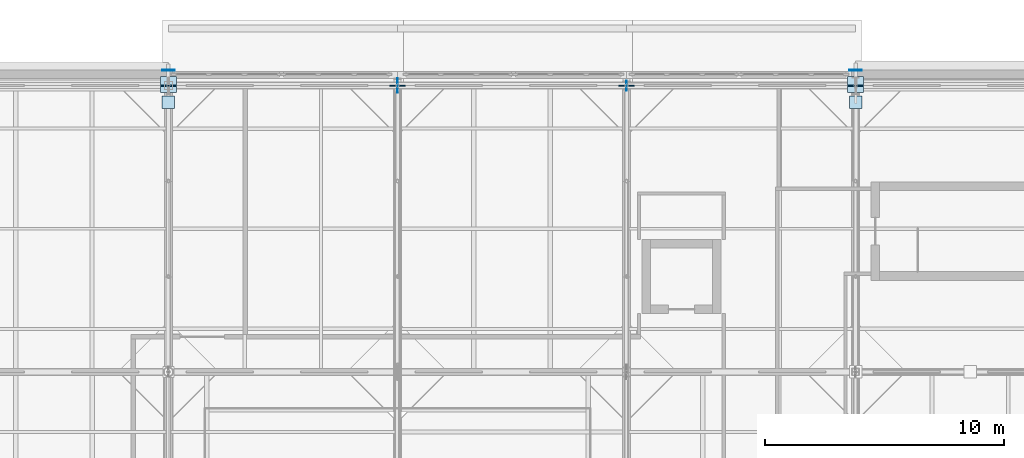
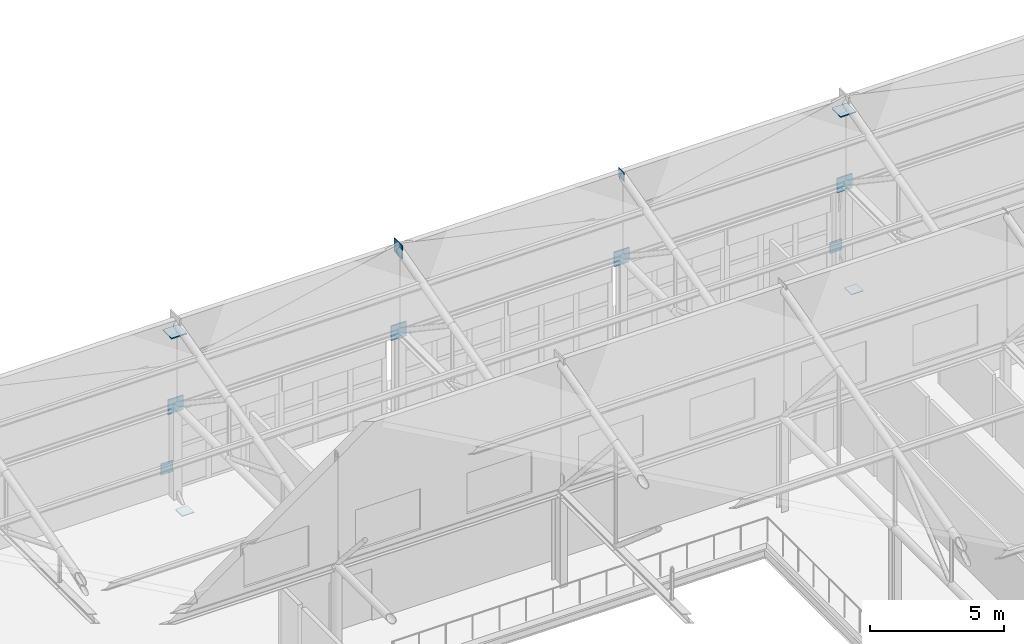
# One storey, part 73 of 89: 12 plates.
"""IFC4 building model written with IfcOpenShell, lengths in metres."""

from ifc_helpers import new_model, si_unit, direction, frame, origin, origin_2d, place, context, subcontext, project, spatial, rectangle, extrude, material, layer, layer_set, type_object, element, save


model = new_model("IFC4")

# Units and contexts
model_context = context("Model", 3, precision=1e-05, world=origin(), true_north=direction((0.0, 1.0)))
body_context = subcontext(model_context, "Body", "Model", "MODEL_VIEW")
ifc_project = project(units=[si_unit("LENGTHUNIT", "METRE"), si_unit("AREAUNIT", "SQUARE_METRE"), si_unit("VOLUMEUNIT", "CUBIC_METRE"), si_unit("PLANEANGLEUNIT", "RADIAN"), si_unit("MASSUNIT", "GRAM", prefix="KILO")], contexts=[model_context])

# Site, building, storey
site_placement = place(None, origin())
site = spatial("IfcSite", under=ifc_project, at=site_placement, CompositionType="ELEMENT")
building_placement = place(site_placement, origin())
building = spatial("IfcBuilding", under=site, at=building_placement, Name="Zereglee Splitstone Museum", CompositionType="ELEMENT")
storey_placement = place(building_placement, frame((0.0, 0.0, 21.300048828125)))
storey = spatial("IfcBuildingStorey", under=building, at=storey_placement, Name="L04", CompositionType="ELEMENT", Elevation=21.300048828125)

# Plates
ifc_material = material(Name="Steel S355J2", Category="steel")
ifc_layer_1 = layer(ifc_material, 0.02001953125)
ifc_layer_set_1 = layer_set([ifc_layer_1], Name="Steel S355J2")
plate_type_1 = type_object("IfcPlateType", Name="NP-05", PredefinedType="SHEET", material=ifc_layer_set_1)
plate_1_placement = place(storey_placement, frame((116.39990234375, 50.39990234375, 7.739990234375), z_axis=(0.0, 0.0, 1.0), x_axis=(1.0, 0.0, 0.0)))
element("IfcPlate", 1, at=plate_1_placement, inside=storey, type_object=plate_type_1, Name="Sawtooth Truss Node Plate TN-05-3.3", PredefinedType="SHEET", context=body_context, shape_type="SweptSolid", body=[
    extrude(rectangle(XDim=0.02001953125, YDim=0.419921875, at=origin_2d()), origin(), (0.0, 0.0, 1.0), 0.419921875),
])
ifc_layer_2 = layer(ifc_material, 0.030029296875)
ifc_layer_set_2 = layer_set([ifc_layer_2], Name="Steel S355J2")
plate_type_2 = type_object("IfcPlateType", Name="NP-04", PredefinedType="SHEET", material=ifc_layer_set_2)
plate_2_placement = place(storey_placement, frame((97.199951171875, 49.699951171875, -0.23486328125), z_axis=(0.0, 0.0, 1.0), x_axis=(1.0, 0.0, 0.0)))
element("IfcPlate", 2, at=plate_2_placement, inside=storey, type_object=plate_type_2, Name="Facet Tie Seal Plate FH-V2NW", PredefinedType="SHEET", context=body_context, shape_type="SweptSolid", body=[
    extrude(rectangle(XDim=0.52001953125, YDim=0.52001953125, at=origin_2d()), origin(), (0.0, 0.0, 1.0), 0.030029296875),
])
plate_3_placement = place(storey_placement, frame((97.199951171875, 51.04443359375, 0.679931640625), z_axis=(0.0, 0.0, 1.0), x_axis=(1.0, 0.0, 0.0)))
element("IfcPlate", 3, at=plate_3_placement, inside=storey, type_object=plate_type_2, Name="Facet Tie Seal Plate FH-V2NW", PredefinedType="SHEET", context=body_context, shape_type="SweptSolid", body=[
    extrude(rectangle(XDim=0.52001953125, YDim=0.030029296875, at=origin_2d()), origin(), (0.0, 0.0, 1.0), 0.52001953125),
])
plate_4_placement = place(storey_placement, frame((126.0, 49.699951171875, -0.23486328125), z_axis=(0.0, 0.0, 1.0), x_axis=(1.0, 0.0, 0.0)))
element("IfcPlate", 4, at=plate_4_placement, inside=storey, type_object=plate_type_2, Name="Facet Tie Seal Plate FH-V2NE", PredefinedType="SHEET", context=body_context, shape_type="SweptSolid", body=[
    extrude(rectangle(XDim=0.52001953125, YDim=0.52001953125, at=origin_2d()), origin(), (0.0, 0.0, 1.0), 0.030029296875),
])
plate_5_placement = place(storey_placement, frame((126.0, 51.04443359375, 0.679931640625), z_axis=(0.0, 0.0, 1.0), x_axis=(1.0, 0.0, 0.0)))
element("IfcPlate", 5, at=plate_5_placement, inside=storey, type_object=plate_type_2, Name="Facet Tie Seal Plate FH-V2NE", PredefinedType="SHEET", context=body_context, shape_type="SweptSolid", body=[
    extrude(rectangle(XDim=0.52001953125, YDim=0.030029296875, at=origin_2d()), origin(), (0.0, 0.0, 1.0), 0.52001953125),
])
ifc_layer_3 = layer(ifc_material, 0.0400390625)
ifc_layer_set_3 = layer_set([ifc_layer_3], Name="Steel S355J2")
plate_type_3 = type_object("IfcPlateType", Name="NP-03", PredefinedType="SHEET", material=ifc_layer_set_3)
plate_6_placement = place(storey_placement, frame((106.800048828125, 50.39990234375, 7.64990234375), z_axis=(0.0, 0.0, 1.0), x_axis=(1.0, 0.0, 0.0)))
element("IfcPlate", 6, at=plate_6_placement, inside=storey, type_object=plate_type_3, Name="Sawtooth Truss Node Plate TN-04-3.3", PredefinedType="SHEET", context=body_context, shape_type="SweptSolid", body=[
    extrude(rectangle(XDim=0.0400390625, YDim=0.60009765625, at=origin_2d()), origin(), (0.0, 0.0, 1.0), 0.60009765625),
])
ifc_layer_4 = layer(ifc_material, 0.050048828125)
ifc_layer_set_4 = layer_set([ifc_layer_4], Name="Steel S355J2")
plate_type_4 = type_object("IfcPlateType", Name="NP-02", PredefinedType="SHEET", material=ifc_layer_set_4)
for number, where, z_axis, x_axis, name in (
    (7, (97.199951171875, 50.39990234375, 3.8701171875), (0.0, 0.0, 1.0), (1.0, 0.0, 0.0), "Sawtooth Bottom Chord End Cap ST-03"),
    (8, (106.800048828125, 50.39990234375, 3.8701171875), (0.0, 0.0, 1.0), (1.0, 0.0, 0.0), "Sawtooth Bottom Chord End Cap ST-04"),
    (9, (116.39990234375, 50.39990234375, 3.8701171875), (0.0, 0.0, 1.0), (1.0, 0.0, 0.0), "Sawtooth Bottom Chord End Cap ST-05"),
    (10, (126.0, 50.39990234375, 3.8701171875), (0.0, 0.0, 1.0), (1.0, 0.0, 0.0), "Sawtooth Bottom Chord End Cap ST-06"),
):
    element("IfcPlate", number, at=place(storey_placement, frame(where, z_axis=z_axis, x_axis=x_axis)), inside=storey, type_object=plate_type_4, Name=name, PredefinedType="SHEET", context=body_context, shape_type="SweptSolid", body=[
        extrude(rectangle(XDim=0.659912109375, YDim=0.050048828125, at=origin_2d()), origin(), (0.0, 0.0, 1.0), 0.659912109375),
    ])
for number, where, z_axis, x_axis, name in (
    (11, (97.199951171875, 50.447509765625, 7.455078125), (0.0, 0.0, 1.0), (1.0, 0.0, 0.0), "Facet Strut Seal Plate FH-V2NW"),
    (12, (126.0, 50.447509765625, 7.455078125), (0.0, 0.0, 1.0), (1.0, 0.0, 0.0), "Facet Strut Seal Plate FH-V2NE"),
):
    element("IfcPlate", number, at=place(storey_placement, frame(where, z_axis=z_axis, x_axis=x_axis)), inside=storey, type_object=plate_type_4, Name=name, PredefinedType="SHEET", context=body_context, shape_type="SweptSolid", body=[
        extrude(rectangle(XDim=0.659912109375, YDim=0.659912109375, at=origin_2d()), origin(), (0.0, 0.0, 1.0), 0.050048828125),
    ])

save(model, "model.ifc")
